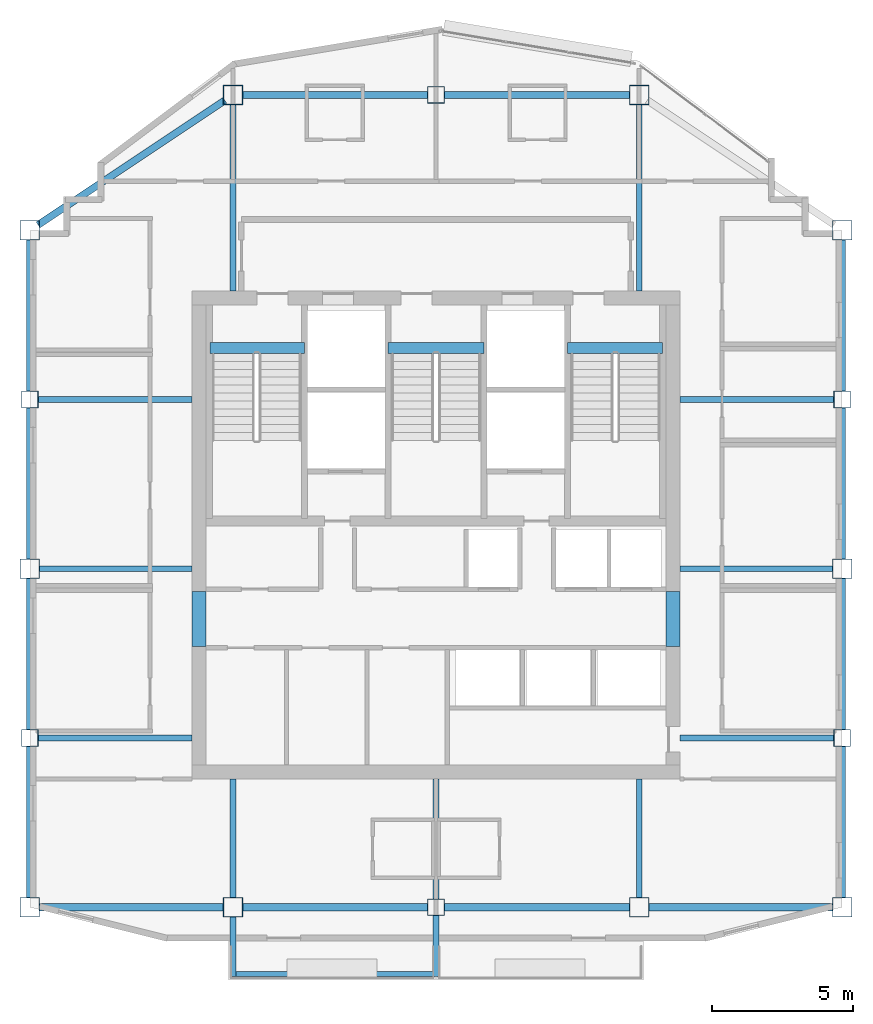
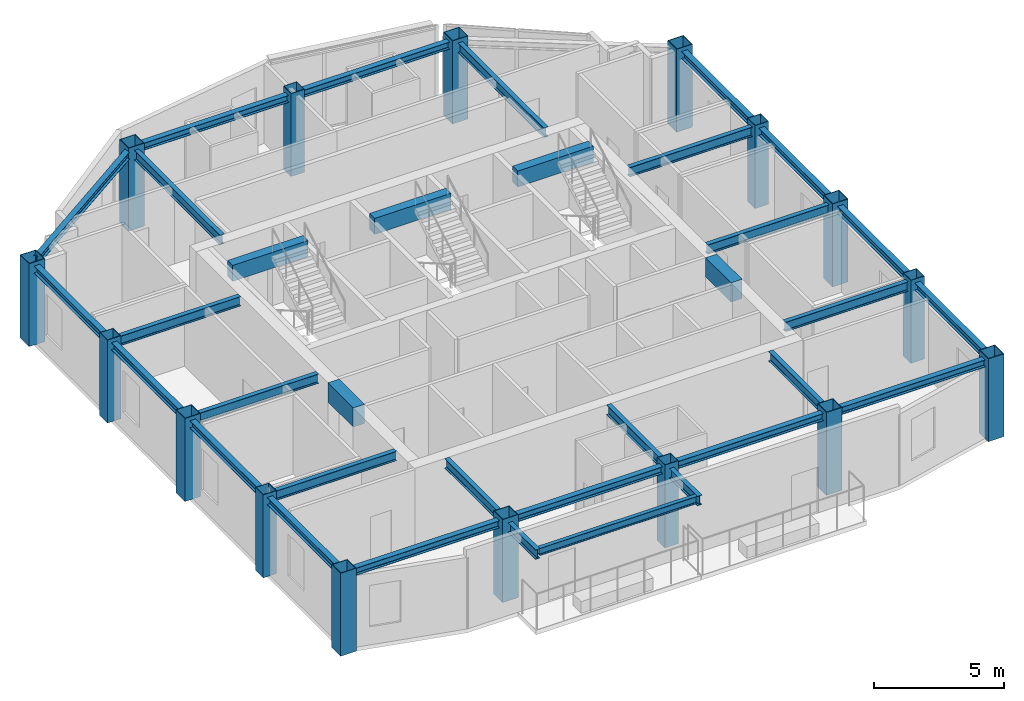
# One storey, part 1 of 10: 34 beams, 16 columns.
"""IFC4 building model written with IfcOpenShell, lengths in metres."""

import ifcopenshell
import ifcopenshell.guid

model = None  # the IFC model being written
_history = None  # IfcOwnerHistory: only IFC2X3 demands one
_inside = {}  # id of a spatial element -> (the spatial element, [elements in it])
_under = {}  # id of a project, library or spatial element -> (it, [spatial elements below it])
_declared = {}  # id of a project -> (the project, [libraries it declares])
_typed = {}  # id of a type object -> (the type object, [elements of that type])
_made_of = {}  # id of a material, layer set ... -> (it, [elements and type objects made of it])


def new_model(schema):
    """Start an empty IFC model of exactly this schema.

    Asked for "IFC4X3", IfcOpenShell would pick the latest addendum, in which some entities
    have other attributes; the version numbers below select the first issue.
    IFC2X3 requires an IfcOwnerHistory on every rooted entity: one is made here for all.
    """
    global model, _history
    if schema == "IFC4X3":
        model = ifcopenshell.file(schema_version=(4, 3, 0, 0))
    else:
        model = ifcopenshell.file(schema=schema)
    _inside.clear()
    _under.clear()
    _declared.clear()
    _typed.clear()
    _made_of.clear()
    _history = None
    if model.schema == "IFC2X3":
        org = make("IfcOrganization", Name="unknown")
        user = make(
            "IfcPersonAndOrganization",
            ThePerson=make("IfcPerson", FamilyName="unknown"),
            TheOrganization=org,
        )
        app = make(
            "IfcApplication",
            ApplicationDeveloper=org,
            Version="unknown",
            ApplicationFullName="unknown",
            ApplicationIdentifier="unknown",
        )
        _history = make(
            "IfcOwnerHistory",
            OwningUser=user,
            OwningApplication=app,
            ChangeAction="ADDED",
            CreationDate=0,
        )
    return model


def make(cls, **values):
    """One entity of the class cls with the attributes given. An attribute that is None is left unset."""
    return model.create_entity(
        cls, **{name: value for name, value in values.items() if value is not None}
    )


def rooted(cls, **values):
    """An entity with a GlobalId (a new one), such as an element, a storey or a relation."""
    return make(cls, GlobalId=ifcopenshell.guid.new(), OwnerHistory=_history, **values)


def si_unit(unit_type, name, prefix=None):
    """IfcSIUnit, for example si_unit("LENGTHUNIT", "METRE", prefix="MILLI")."""
    return make("IfcSIUnit", UnitType=unit_type, Prefix=prefix, Name=name)


def assignment(units):
    """IfcUnitAssignment: the units of a project."""
    return None if units is None else make("IfcUnitAssignment", Units=units)


def point(xyz):
    """IfcCartesianPoint."""
    return None if xyz is None else make("IfcCartesianPoint", Coordinates=xyz)


def direction(xyz):
    """IfcDirection."""
    return None if xyz is None else make("IfcDirection", DirectionRatios=xyz)


def frame(location, z_axis=None, x_axis=None):
    """IfcAxis2Placement3D, a coordinate frame: its origin and axes. An axis left out is left unset."""
    return make(
        "IfcAxis2Placement3D",
        Location=point(location),
        Axis=direction(z_axis),
        RefDirection=direction(x_axis),
    )


def frame_2d(location, x_axis=None):
    """IfcAxis2Placement2D, a coordinate frame in the plane: its origin and x axis."""
    return make(
        "IfcAxis2Placement2D", Location=point(location), RefDirection=direction(x_axis)
    )


def origin():
    """The frame at (0, 0, 0) with its axes left unset."""
    return frame((0.0, 0.0, 0.0))


def origin_2d():
    """The frame at (0, 0) in the plane with its x axis left unset."""
    return frame_2d((0.0, 0.0))


def place(relative_to, where):
    """IfcLocalPlacement: puts the frame where relative to a parent placement (None: the world)."""
    return make(
        "IfcLocalPlacement", PlacementRelTo=relative_to, RelativePlacement=where
    )


def context(
    kind, dimensions, precision=None, world=None, true_north=None, identifier=None
):
    """IfcGeometricRepresentationContext, for example the 3D "Model" context."""
    return make(
        "IfcGeometricRepresentationContext",
        ContextIdentifier=identifier,
        ContextType=kind,
        CoordinateSpaceDimension=dimensions,
        Precision=precision,
        WorldCoordinateSystem=world,
        TrueNorth=true_north,
    )


def subcontext(parent, identifier, kind, view, scale=None):
    """IfcGeometricRepresentationSubContext, for example "Body" below "Model"."""
    return make(
        "IfcGeometricRepresentationSubContext",
        ContextIdentifier=identifier,
        ContextType=kind,
        ParentContext=parent,
        TargetScale=scale,
        TargetView=view,
    )


def project(units=None, contexts=None):
    """IfcProject with its units and contexts."""
    return rooted(
        "IfcProject",
        Name="project",
        RepresentationContexts=contexts,
        UnitsInContext=assignment(units),
    )


def spatial(cls, under=None, at=None, **own):
    """A site, building, storey or space (cls), placed at a placement, below another one or the project."""
    s = rooted(cls, ObjectPlacement=at, **own)
    if under is not None:
        _under.setdefault(under.id(), (under, []))[1].append(s)
    return s


def profile(cls, at=None, kind="AREA", **sizes):
    """A parametric profile (cls). Its sizes go by their IFC names, for example OverallWidth=200.0."""
    return make(cls, ProfileType=kind, Position=at, **sizes)


def rectangle(**sizes):
    """IfcRectangleProfileDef."""
    return profile("IfcRectangleProfileDef", **sizes)


def hollow_rectangle(**sizes):
    """IfcRectangleHollowProfileDef."""
    return profile("IfcRectangleHollowProfileDef", **sizes)


def i_section(**sizes):
    """IfcIShapeProfileDef."""
    return profile("IfcIShapeProfileDef", **sizes)


def extrude(swept, where, along, depth):
    """IfcExtrudedAreaSolid: the profile swept, set in the frame where, extruded along a direction by depth."""
    return make(
        "IfcExtrudedAreaSolid",
        SweptArea=swept,
        Position=where,
        ExtrudedDirection=direction(along),
        Depth=depth,
    )


def shape(context_of_items, identifier, shape_type, items):
    """IfcShapeRepresentation: the items that make up one representation, for example the "Body"."""
    return make(
        "IfcShapeRepresentation",
        ContextOfItems=context_of_items,
        RepresentationIdentifier=identifier,
        RepresentationType=shape_type,
        Items=items,
    )


def material(Name=None, Category=None):
    """IfcMaterial."""
    return make("IfcMaterial", Name=Name, Category=Category)


def material_profile(
    of_material, cross_section, Name=None, Category=None, Priority=None
):
    """IfcMaterialProfile: a cross section and its material."""
    return make(
        "IfcMaterialProfile",
        Name=Name,
        Material=of_material,
        Profile=cross_section,
        Priority=Priority,
        Category=Category,
    )


def profile_set(profiles, Name=None, composite=None):
    """IfcMaterialProfileSet."""
    return make(
        "IfcMaterialProfileSet",
        Name=Name,
        MaterialProfiles=profiles,
        CompositeProfile=composite,
    )


def made_of(thing, what):
    """Note that an element or type object is made of a material, layer set ...; save() writes the relation."""
    if what is not None:
        _made_of.setdefault(what.id(), (what, []))[1].append(thing)
    return thing


def type_object(cls, material=None, **own):
    """A type object (cls), such as IfcWallType, which elements share."""
    return made_of(rooted(cls, **own), material)


def element(
    cls,
    number,
    at=None,
    inside=None,
    cuts=None,
    type_object=None,
    material=None,
    context=None,
    identifier="Body",
    shape_type=None,
    held_by="IfcProductDefinitionShape",
    body=None,
    shapes=None,
    **own,
):
    """One element of the class cls, such as IfcWall. Its Tag is "e" and its number.

    at: its placement. inside: the storey or other place that contains it. cuts: it is an
    opening in that element (IfcRelVoidsElement). A single representation is given by context,
    identifier, shape_type and body (its items); several are given by shapes. held_by: the class
    of the entity that holds the representations. save() writes the other relations.
    """
    e = rooted(cls, Tag="e%d" % number, ObjectPlacement=at, **own)
    if body is not None:
        shapes = [shape(context, identifier, shape_type, body)]
    if shapes is not None:
        e.Representation = make(held_by, Representations=shapes)
    if inside is not None:
        _inside.setdefault(inside.id(), (inside, []))[1].append(e)
    if cuts is not None:
        rooted(
            "IfcRelVoidsElement", RelatingBuildingElement=cuts, RelatedOpeningElement=e
        )
    if type_object is not None:
        _typed.setdefault(type_object.id(), (type_object, []))[1].append(e)
    return made_of(e, material)


def aggregate(whole, parts):
    """IfcRelAggregates: a whole, such as a stair, and the parts it consists of."""
    return rooted("IfcRelAggregates", RelatingObject=whole, RelatedObjects=parts)


def save(model, path):
    """Write the relations noted so far, then the file.

    IfcRelAggregates (storeys below a building ...), IfcRelContainedInSpatialStructure (elements
    in a storey), IfcRelDefinesByType, IfcRelAssociatesMaterial and IfcRelDeclares: one each for
    every whole, place, type object, material and project.
    """
    for whole, parts in _under.values():
        aggregate(whole, parts)
    for where, things in _inside.values():
        rooted(
            "IfcRelContainedInSpatialStructure",
            RelatedElements=things,
            RelatingStructure=where,
        )
    for kind, things in _typed.values():
        rooted("IfcRelDefinesByType", RelatedObjects=things, RelatingType=kind)
    for what, things in _made_of.values():
        rooted("IfcRelAssociatesMaterial", RelatedObjects=things, RelatingMaterial=what)
    for by, libraries in _declared.values():
        rooted("IfcRelDeclares", RelatingContext=by, RelatedDefinitions=libraries)
    model.write(path)


model = new_model("IFC4")

# Units and contexts
model_context = context("Model", 3, precision=1e-05, world=origin(), true_north=direction((0.0, 1.0)))
body_context = subcontext(model_context, "Body", "Model", "MODEL_VIEW")
ifc_project = project(units=[si_unit("LENGTHUNIT", "METRE"), si_unit("AREAUNIT", "SQUARE_METRE"), si_unit("VOLUMEUNIT", "CUBIC_METRE"), si_unit("PLANEANGLEUNIT", "RADIAN"), si_unit("MASSUNIT", "GRAM", prefix="KILO")], contexts=[model_context])

# Site, building, storey
site_placement = place(None, origin())
site = spatial("IfcSite", under=ifc_project, at=site_placement, CompositionType="ELEMENT")
building_placement = place(site_placement, origin())
building = spatial("IfcBuilding", under=site, at=building_placement, Name="Haolan Belvedere Tower", CompositionType="ELEMENT")
storey_placement = place(building_placement, frame((0.0, 0.0, 286.10009765625)))
storey = spatial("IfcBuildingStorey", under=building, at=storey_placement, Name="L72", CompositionType="ELEMENT", Elevation=286.10009765625)

# Columns
ifc_material_1 = material(Name="Steel Q390GJC", Category="steel")
ifc_material_profile_1 = material_profile(ifc_material_1, hollow_rectangle(XDim=0.60009765625, YDim=0.60009765625, WallThickness=0.02392578125, at=origin_2d()), Name="Steel Q390GJC")
ifc_profile_set_1 = profile_set([ifc_material_profile_1], Name="Steel Q390GJC")
column_type_1 = type_object("IfcColumnType", Name="COL-BOX600x600x24", PredefinedType="COLUMN", material=ifc_profile_set_1)
for number, where, z_axis, x_axis, name in (
    (1, (24.0, 27.60009765625, 0.0), (0.0, 0.0, 1.0), (1.0, 0.0, 0.0), "L72 column TC-T3-W1 (BOX600x600x24)"),
    (2, (24.0, 39.60009765625, 0.0), (0.0, 0.0, 1.0), (1.0, 0.0, 0.0), "L72 column TC-T3-W2 (BOX600x600x24)"),
    (3, (52.800048828125, 27.60009765625, 0.0), (0.0, 0.0, 1.0), (1.0, 0.0, 0.0), "L72 column TC-T3-E1 (BOX600x600x24)"),
    (4, (52.800048828125, 39.60009765625, 0.0), (0.0, 0.0, 1.0), (1.0, 0.0, 0.0), "L72 column TC-T3-E2 (BOX600x600x24)"),
    (5, (38.39990234375, 21.60009765625, 0.0), (0.0, 0.0, 1.0), (1.0, 0.0, 0.0), "L72 column TC-T3-SM (BOX600x600x24)"),
    (6, (38.39990234375, 50.39990234375, 0.0), (0.0, 0.0, 1.0), (1.0, 0.0, 0.0), "L72 column TC-T3-NM (BOX600x600x24)"),
):
    element("IfcColumn", number, at=place(storey_placement, frame(where, z_axis=z_axis, x_axis=x_axis)), inside=storey, type_object=column_type_1, Name=name, PredefinedType="COLUMN", context=body_context, shape_type="SweptSolid", body=[
        extrude(hollow_rectangle(XDim=0.60009765625, YDim=0.60009765625, WallThickness=0.02392578125, at=origin_2d()), origin(), (0.0, 0.0, 1.0), 3.89990234375),
    ])
ifc_material_profile_2 = material_profile(ifc_material_1, hollow_rectangle(XDim=0.699951171875, YDim=0.699951171875, WallThickness=0.02587890625, at=origin_2d()), Name="Steel Q390GJC")
ifc_profile_set_2 = profile_set([ifc_material_profile_2], Name="Steel Q390GJC")
column_type_2 = type_object("IfcColumnType", Name="COL-BOX700x700x26", PredefinedType="COLUMN", material=ifc_profile_set_2)
for number, where, z_axis, x_axis, name in (
    (7, (24.0, 21.60009765625, 0.0), (0.0, 0.0, 1.0), (1.0, 0.0, 0.0), "L72 column MC-T3-SW (BOX700x700x26)"),
    (8, (24.0, 33.60009765625, 0.0), (0.0, 0.0, 1.0), (1.0, 0.0, 0.0), "L72 column MC-T3-MW (BOX700x700x26)"),
    (9, (24.0, 45.60009765625, 0.0), (0.0, 0.0, 1.0), (1.0, 0.0, 0.0), "L72 column MC-T3-NW (BOX700x700x26)"),
    (10, (52.800048828125, 21.60009765625, 0.0), (0.0, 0.0, 1.0), (1.0, 0.0, 0.0), "L72 column MC-T3-SE (BOX700x700x26)"),
    (11, (52.800048828125, 33.60009765625, 0.0), (0.0, 0.0, 1.0), (1.0, 0.0, 0.0), "L72 column MC-T3-ME (BOX700x700x26)"),
    (12, (52.800048828125, 45.60009765625, 0.0), (0.0, 0.0, 1.0), (1.0, 0.0, 0.0), "L72 column MC-T3-NE (BOX700x700x26)"),
    (13, (31.199951171875, 21.60009765625, 0.0), (0.0, 0.0, 1.0), (1.0, 0.0, 0.0), "L72 column MC-T3-S1 (BOX700x700x26)"),
    (14, (45.60009765625, 21.60009765625, 0.0), (0.0, 0.0, 1.0), (1.0, 0.0, 0.0), "L72 column MC-T3-S2 (BOX700x700x26)"),
    (15, (31.199951171875, 50.39990234375, 0.0), (0.0, 0.0, 1.0), (1.0, 0.0, 0.0), "L72 column MC-T3-N1 (BOX700x700x26)"),
    (16, (45.60009765625, 50.39990234375, 0.0), (0.0, 0.0, 1.0), (1.0, 0.0, 0.0), "L72 column MC-T3-N2 (BOX700x700x26)"),
):
    element("IfcColumn", number, at=place(storey_placement, frame(where, z_axis=z_axis, x_axis=x_axis)), inside=storey, type_object=column_type_2, Name=name, PredefinedType="COLUMN", context=body_context, shape_type="SweptSolid", body=[
        extrude(hollow_rectangle(XDim=0.699951171875, YDim=0.699951171875, WallThickness=0.02587890625, at=origin_2d()), origin(), (0.0, 0.0, 1.0), 3.89990234375),
    ])

# Beams
ifc_material_2 = material(Name="Steel Q355B", Category="steel")
ifc_material_profile_3 = material_profile(ifc_material_2, i_section(OverallWidth=0.25, OverallDepth=0.340087890625, WebThickness=0.009033203125, FlangeThickness=0.013916015625, FilletRadius=0.02001953125, at=origin_2d()), Name="Steel Q355B")
ifc_profile_set_3 = profile_set([ifc_material_profile_3], Name="Steel Q355B")
beam_type_1 = type_object("IfcBeamType", Name="BM-HM340x250x9x14", PredefinedType="SPANDREL", material=ifc_profile_set_3)
for number, where, z_axis, x_axis, name in (
    (17, (24.0, 21.949951171875, 3.5498046875), (0.0, 1.0, 0.0), (-1.0, 0.0, 0.0), "L72 spandrel girder MC-T3-SW-TC-T3-W1"),
    (18, (24.0, 27.89990234375, 3.5498046875), (0.0, 1.0, 0.0), (-1.0, 0.0, 0.0), "L72 spandrel girder TC-T3-W1-MC-T3-MW"),
    (19, (24.0, 33.949951171875, 3.5498046875), (0.0, 1.0, 0.0), (-1.0, 0.0, 0.0), "L72 spandrel girder MC-T3-MW-TC-T3-W2"),
    (20, (24.0, 39.89990234375, 3.5498046875), (0.0, 1.0, 0.0), (-1.0, 0.0, 0.0), "L72 spandrel girder TC-T3-W2-MC-T3-NW"),
    (21, (52.800048828125, 21.949951171875, 3.5498046875), (0.0, 1.0, 0.0), (-1.0, 0.0, 0.0), "L72 spandrel girder MC-T3-SE-TC-T3-E1"),
    (22, (52.800048828125, 27.89990234375, 3.5498046875), (0.0, 1.0, 0.0), (-1.0, 0.0, 0.0), "L72 spandrel girder TC-T3-E1-MC-T3-ME"),
    (23, (52.800048828125, 33.949951171875, 3.5498046875), (0.0, 1.0, 0.0), (-1.0, 0.0, 0.0), "L72 spandrel girder MC-T3-ME-TC-T3-E2"),
    (24, (52.800048828125, 39.89990234375, 3.5498046875), (0.0, 1.0, 0.0), (-1.0, 0.0, 0.0), "L72 spandrel girder TC-T3-E2-MC-T3-NE"),
):
    element("IfcBeam", number, at=place(storey_placement, frame(where, z_axis=z_axis, x_axis=x_axis)), inside=storey, type_object=beam_type_1, Name=name, PredefinedType="SPANDREL", context=body_context, shape_type="SweptSolid", body=[
        extrude(i_section(OverallWidth=0.25, OverallDepth=0.340087890625, WebThickness=0.009033203125, FlangeThickness=0.013916015625, FilletRadius=0.02001953125, at=origin_2d()), origin(), (0.0, 0.0, 1.0), 5.35009765625),
    ])
beam_1_placement = place(storey_placement, frame((24.35009765625, 21.60009765625, 3.5498046875), z_axis=(1.0, 0.0, 0.0), x_axis=(0.0, 1.0, 0.0)))
element("IfcBeam", 25, at=beam_1_placement, inside=storey, type_object=beam_type_1, Name="L72 spandrel girder MC-T3-SW-MC-T3-S1", PredefinedType="SPANDREL", context=body_context, shape_type="SweptSolid", body=[
    extrude(i_section(OverallWidth=0.25, OverallDepth=0.340087890625, WebThickness=0.009033203125, FlangeThickness=0.013916015625, FilletRadius=0.02001953125, at=origin_2d()), origin(), (0.0, 0.0, 1.0), 6.5),
])
for number, where, z_axis, x_axis, name in (
    (26, (31.550048828125, 21.60009765625, 3.5498046875), (1.0, 0.0, 0.0), (0.0, 1.0, 0.0), "L72 spandrel girder MC-T3-S1-TC-T3-SM"),
    (27, (38.699951171875, 21.60009765625, 3.5498046875), (1.0, 0.0, 0.0), (0.0, 1.0, 0.0), "L72 spandrel girder TC-T3-SM-MC-T3-S2"),
):
    element("IfcBeam", number, at=place(storey_placement, frame(where, z_axis=z_axis, x_axis=x_axis)), inside=storey, type_object=beam_type_1, Name=name, PredefinedType="SPANDREL", context=body_context, shape_type="SweptSolid", body=[
        extrude(i_section(OverallWidth=0.25, OverallDepth=0.340087890625, WebThickness=0.009033203125, FlangeThickness=0.013916015625, FilletRadius=0.02001953125, at=origin_2d()), origin(), (0.0, 0.0, 1.0), 6.550048828125),
    ])
beam_2_placement = place(storey_placement, frame((45.949951171875, 21.60009765625, 3.5498046875), z_axis=(1.0, 0.0, 0.0), x_axis=(0.0, 1.0, 0.0)))
element("IfcBeam", 28, at=beam_2_placement, inside=storey, type_object=beam_type_1, Name="L72 spandrel girder MC-T3-S2-MC-T3-SE", PredefinedType="SPANDREL", context=body_context, shape_type="SweptSolid", body=[
    extrude(i_section(OverallWidth=0.25, OverallDepth=0.340087890625, WebThickness=0.009033203125, FlangeThickness=0.013916015625, FilletRadius=0.02001953125, at=origin_2d()), origin(), (0.0, 0.0, 1.0), 6.5),
])
beam_3_placement = place(storey_placement, frame((24.291259765625, 45.794189453125, 3.5498046875), z_axis=(0.832050294338, 0.554700196225, 0.0), x_axis=(-0.554700196225, 0.832050294338, 0.0)))
element("IfcBeam", 29, at=beam_3_placement, inside=storey, type_object=beam_type_1, Name="L72 spandrel girder MC-T3-NW-MC-T3-N1", PredefinedType="SPANDREL", context=body_context, shape_type="SweptSolid", body=[
    extrude(i_section(OverallWidth=0.25, OverallDepth=0.340087890625, WebThickness=0.009033203125, FlangeThickness=0.013916015625, FilletRadius=0.02001953125, at=origin_2d()), origin(), (0.0, 0.0, 1.0), 7.953125),
])
for number, where, z_axis, x_axis, name in (
    (30, (31.550048828125, 50.39990234375, 3.5498046875), (1.0, 0.0, 0.0), (0.0, 1.0, 0.0), "L72 spandrel girder MC-T3-N1-TC-T3-NM"),
    (31, (38.699951171875, 50.39990234375, 3.5498046875), (1.0, 0.0, 0.0), (0.0, 1.0, 0.0), "L72 spandrel girder TC-T3-NM-MC-T3-N2"),
):
    element("IfcBeam", number, at=place(storey_placement, frame(where, z_axis=z_axis, x_axis=x_axis)), inside=storey, type_object=beam_type_1, Name=name, PredefinedType="SPANDREL", context=body_context, shape_type="SweptSolid", body=[
        extrude(i_section(OverallWidth=0.25, OverallDepth=0.340087890625, WebThickness=0.009033203125, FlangeThickness=0.013916015625, FilletRadius=0.02001953125, at=origin_2d()), origin(), (0.0, 0.0, 1.0), 6.550048828125),
    ])
ifc_material_profile_4 = material_profile(ifc_material_2, i_section(OverallWidth=0.175048828125, OverallDepth=0.35009765625, WebThickness=0.007080078125, FlangeThickness=0.010986328125, FilletRadius=0.012939453125, at=origin_2d()), Name="Steel Q355B")
ifc_profile_set_4 = profile_set([ifc_material_profile_4], Name="Steel Q355B")
beam_type_2 = type_object("IfcBeamType", Name="BM-HN350x175x7x11", PredefinedType="JOIST", material=ifc_profile_set_4)
beam_4_placement = place(storey_placement, frame((31.300048828125, 19.239990234375, 3.494873046875), z_axis=(1.0, 0.0, 0.0), x_axis=(0.0, 1.0, 0.0)))
element("IfcBeam", 32, at=beam_4_placement, inside=storey, type_object=beam_type_2, Name="L73 tree-balcony front trimmer beam 1", PredefinedType="BEAM", context=body_context, shape_type="SweptSolid", body=[
    extrude(i_section(OverallWidth=0.175048828125, OverallDepth=0.35009765625, WebThickness=0.007080078125, FlangeThickness=0.010986328125, FilletRadius=0.012939453125, at=origin_2d()), origin(), (0.0, 0.0, 1.0), 7.0),
])
ifc_material_profile_5 = material_profile(ifc_material_2, i_section(OverallWidth=0.199951171875, OverallDepth=0.449951171875, WebThickness=0.009033203125, FlangeThickness=0.013916015625, FilletRadius=0.01611328125, at=origin_2d()), Name="Steel Q355B")
ifc_profile_set_5 = profile_set([ifc_material_profile_5], Name="Steel Q355B")
beam_type_3 = type_object("IfcBeamType", Name="BM-HN450x200x9x14", PredefinedType="BEAM", material=ifc_profile_set_5)
beam_5_placement = place(storey_placement, frame((24.35009765625, 33.60009765625, 3.494873046875), z_axis=(1.0, 0.0, 0.0), x_axis=(0.0, 1.0, 0.0)))
element("IfcBeam", 33, at=beam_5_placement, inside=storey, type_object=beam_type_3, Name="L72 core tie beam from MC-T3-MW", PredefinedType="BEAM", context=body_context, shape_type="SweptSolid", body=[
    extrude(i_section(OverallWidth=0.199951171875, OverallDepth=0.449951171875, WebThickness=0.009033203125, FlangeThickness=0.013916015625, FilletRadius=0.01611328125, at=origin_2d()), origin(), (0.0, 0.0, 1.0), 5.39990234375),
])
for number, where, z_axis, x_axis, name in (
    (34, (24.300048828125, 27.60009765625, 3.494873046875), (1.0, 0.0, 0.0), (0.0, 1.0, 0.0), "L72 core tie beam from TC-T3-W1"),
    (35, (24.300048828125, 39.60009765625, 3.494873046875), (1.0, 0.0, 0.0), (0.0, 1.0, 0.0), "L72 core tie beam from TC-T3-W2"),
):
    element("IfcBeam", number, at=place(storey_placement, frame(where, z_axis=z_axis, x_axis=x_axis)), inside=storey, type_object=beam_type_3, Name=name, PredefinedType="BEAM", context=body_context, shape_type="SweptSolid", body=[
        extrude(i_section(OverallWidth=0.199951171875, OverallDepth=0.449951171875, WebThickness=0.009033203125, FlangeThickness=0.013916015625, FilletRadius=0.01611328125, at=origin_2d()), origin(), (0.0, 0.0, 1.0), 5.449951171875),
    ])
beam_6_placement = place(storey_placement, frame((52.449951171875, 33.60009765625, 3.494873046875), z_axis=(-1.0, 0.0, 0.0), x_axis=(0.0, -1.0, 0.0)))
element("IfcBeam", 36, at=beam_6_placement, inside=storey, type_object=beam_type_3, Name="L72 core tie beam from MC-T3-ME", PredefinedType="BEAM", context=body_context, shape_type="SweptSolid", body=[
    extrude(i_section(OverallWidth=0.199951171875, OverallDepth=0.449951171875, WebThickness=0.009033203125, FlangeThickness=0.013916015625, FilletRadius=0.01611328125, at=origin_2d()), origin(), (0.0, 0.0, 1.0), 5.39990234375),
])
for number, where, z_axis, x_axis, name in (
    (37, (52.5, 27.60009765625, 3.494873046875), (-1.0, 0.0, 0.0), (0.0, -1.0, 0.0), "L72 core tie beam from TC-T3-E1"),
    (38, (52.5, 39.60009765625, 3.494873046875), (-1.0, 0.0, 0.0), (0.0, -1.0, 0.0), "L72 core tie beam from TC-T3-E2"),
):
    element("IfcBeam", number, at=place(storey_placement, frame(where, z_axis=z_axis, x_axis=x_axis)), inside=storey, type_object=beam_type_3, Name=name, PredefinedType="BEAM", context=body_context, shape_type="SweptSolid", body=[
        extrude(i_section(OverallWidth=0.199951171875, OverallDepth=0.449951171875, WebThickness=0.009033203125, FlangeThickness=0.013916015625, FilletRadius=0.01611328125, at=origin_2d()), origin(), (0.0, 0.0, 1.0), 5.449951171875),
    ])
beam_7_placement = place(storey_placement, frame((31.199951171875, 21.949951171875, 3.494873046875), z_axis=(0.0, 1.0, 0.0), x_axis=(-1.0, 0.0, 0.0)))
element("IfcBeam", 39, at=beam_7_placement, inside=storey, type_object=beam_type_3, Name="L72 core tie beam from MC-T3-S1", PredefinedType="BEAM", context=body_context, shape_type="SweptSolid", body=[
    extrude(i_section(OverallWidth=0.199951171875, OverallDepth=0.449951171875, WebThickness=0.009033203125, FlangeThickness=0.013916015625, FilletRadius=0.01611328125, at=origin_2d()), origin(), (0.0, 0.0, 1.0), 4.199951171875),
])
beam_8_placement = place(storey_placement, frame((38.39990234375, 21.89990234375, 3.494873046875), z_axis=(0.0, 1.0, 0.0), x_axis=(-1.0, 0.0, 0.0)))
element("IfcBeam", 40, at=beam_8_placement, inside=storey, type_object=beam_type_3, Name="L72 core tie beam from TC-T3-SM", PredefinedType="BEAM", context=body_context, shape_type="SweptSolid", body=[
    extrude(i_section(OverallWidth=0.199951171875, OverallDepth=0.449951171875, WebThickness=0.009033203125, FlangeThickness=0.013916015625, FilletRadius=0.01611328125, at=origin_2d()), origin(), (0.0, 0.0, 1.0), 4.25),
])
beam_9_placement = place(storey_placement, frame((45.60009765625, 21.949951171875, 3.494873046875), z_axis=(0.0, 1.0, 0.0), x_axis=(-1.0, 0.0, 0.0)))
element("IfcBeam", 41, at=beam_9_placement, inside=storey, type_object=beam_type_3, Name="L72 core tie beam from MC-T3-S2", PredefinedType="BEAM", context=body_context, shape_type="SweptSolid", body=[
    extrude(i_section(OverallWidth=0.199951171875, OverallDepth=0.449951171875, WebThickness=0.009033203125, FlangeThickness=0.013916015625, FilletRadius=0.01611328125, at=origin_2d()), origin(), (0.0, 0.0, 1.0), 4.199951171875),
])
for number, where, z_axis, x_axis, name in (
    (42, (31.199951171875, 50.050048828125, 3.494873046875), (0.0, -1.0, 0.0), (1.0, 0.0, 0.0), "L72 core tie beam from MC-T3-N1"),
    (43, (45.60009765625, 50.050048828125, 3.494873046875), (0.0, -1.0, 0.0), (1.0, 0.0, 0.0), "L72 core tie beam from MC-T3-N2"),
):
    element("IfcBeam", number, at=place(storey_placement, frame(where, z_axis=z_axis, x_axis=x_axis)), inside=storey, type_object=beam_type_3, Name=name, PredefinedType="BEAM", context=body_context, shape_type="SweptSolid", body=[
        extrude(i_section(OverallWidth=0.199951171875, OverallDepth=0.449951171875, WebThickness=0.009033203125, FlangeThickness=0.013916015625, FilletRadius=0.01611328125, at=origin_2d()), origin(), (0.0, 0.0, 1.0), 6.60009765625),
    ])
beam_10_placement = place(storey_placement, frame((31.199951171875, 21.25, 3.44482421875), z_axis=(0.0, -1.0, 0.0), x_axis=(1.0, 0.0, 0.0)))
element("IfcBeam", 44, at=beam_10_placement, inside=storey, type_object=beam_type_3, Name="L73 tree-balcony column cantilever MC-T3-S1", PredefinedType="BEAM", context=body_context, shape_type="SweptSolid", body=[
    extrude(i_section(OverallWidth=0.199951171875, OverallDepth=0.449951171875, WebThickness=0.009033203125, FlangeThickness=0.013916015625, FilletRadius=0.01611328125, at=origin_2d()), origin(), (0.0, 0.0, 1.0), 2.110107421875),
])
beam_11_placement = place(storey_placement, frame((38.39990234375, 21.300048828125, 3.44482421875), z_axis=(0.0, -1.0, 0.0), x_axis=(1.0, 0.0, 0.0)))
element("IfcBeam", 45, at=beam_11_placement, inside=storey, type_object=beam_type_3, Name="L73 tree-balcony column cantilever TC-T3-SM", PredefinedType="BEAM", context=body_context, shape_type="SweptSolid", body=[
    extrude(i_section(OverallWidth=0.199951171875, OverallDepth=0.449951171875, WebThickness=0.009033203125, FlangeThickness=0.013916015625, FilletRadius=0.01611328125, at=origin_2d()), origin(), (0.0, 0.0, 1.0), 2.16015625),
])
ifc_material_3 = material(Name="Concrete C50/60", Category="concrete")
ifc_material_profile_6 = material_profile(ifc_material_3, rectangle(XDim=0.39990234375, YDim=0.75, at=origin_2d()), Name="Concrete C50/60")
ifc_profile_set_6 = profile_set([ifc_material_profile_6], Name="Concrete C50/60")
beam_type_4 = type_object("IfcBeamType", Name="BM-RC400x750", PredefinedType="T_BEAM", material=ifc_profile_set_6)
beam_12_placement = place(storey_placement, frame((30.3798828125, 41.429931640625, 3.52490234375), z_axis=(1.0, 0.0, 0.0), x_axis=(0.0, 1.0, 0.0)))
element("IfcBeam", 46, at=beam_12_placement, inside=storey, type_object=beam_type_4, Name="L73 stair ST1 RC header trimmer beam", PredefinedType="BEAM", context=body_context, shape_type="SweptSolid", body=[
    extrude(rectangle(XDim=0.39990234375, YDim=0.75, at=origin_2d()), origin(), (0.0, 0.0, 1.0), 3.360107421875),
])
beam_13_placement = place(storey_placement, frame((36.699951171875, 41.429931640625, 3.52490234375), z_axis=(1.0, 0.0, 0.0), x_axis=(0.0, 1.0, 0.0)))
element("IfcBeam", 47, at=beam_13_placement, inside=storey, type_object=beam_type_4, Name="L73 stair ST3 RC header trimmer beam", PredefinedType="BEAM", context=body_context, shape_type="SweptSolid", body=[
    extrude(rectangle(XDim=0.39990234375, YDim=0.75, at=origin_2d()), origin(), (0.0, 0.0, 1.0), 3.400146484375),
])
beam_14_placement = place(storey_placement, frame((43.06005859375, 41.429931640625, 3.52490234375), z_axis=(1.0, 0.0, 0.0), x_axis=(0.0, 1.0, 0.0)))
element("IfcBeam", 48, at=beam_14_placement, inside=storey, type_object=beam_type_4, Name="L73 stair ST2 RC header trimmer beam", PredefinedType="BEAM", context=body_context, shape_type="SweptSolid", body=[
    extrude(rectangle(XDim=0.39990234375, YDim=0.75, at=origin_2d()), origin(), (0.0, 0.0, 1.0), 3.35986328125),
])
ifc_material_4 = material(Name="Concrete C60/75", Category="concrete")
ifc_material_profile_7 = material_profile(ifc_material_4, rectangle(XDim=0.5, YDim=0.89990234375, at=origin_2d()), Name="Concrete C60/75")
ifc_profile_set_7 = profile_set([ifc_material_profile_7], Name="Concrete C60/75")
beam_type_5 = type_object("IfcBeamType", Name="BM-RC500x900", PredefinedType="LINTEL", material=ifc_profile_set_7)
for number, where, z_axis, x_axis, name in (
    (49, (30.0, 30.85009765625, 3.27001953125), (0.0, 1.0, 0.0), (-1.0, 0.0, 0.0), "L72 west core coupling beam CB-01"),
    (50, (46.800048828125, 30.85009765625, 3.27001953125), (0.0, 1.0, 0.0), (-1.0, 0.0, 0.0), "L72 east core coupling beam CB-01"),
):
    element("IfcBeam", number, at=place(storey_placement, frame(where, z_axis=z_axis, x_axis=x_axis)), inside=storey, type_object=beam_type_5, Name=name, PredefinedType="LINTEL", context=body_context, shape_type="SweptSolid", body=[
        extrude(rectangle(XDim=0.5, YDim=0.89990234375, at=origin_2d()), origin(), (0.0, 0.0, 1.0), 1.949951171875),
    ])

save(model, "model.ifc")
